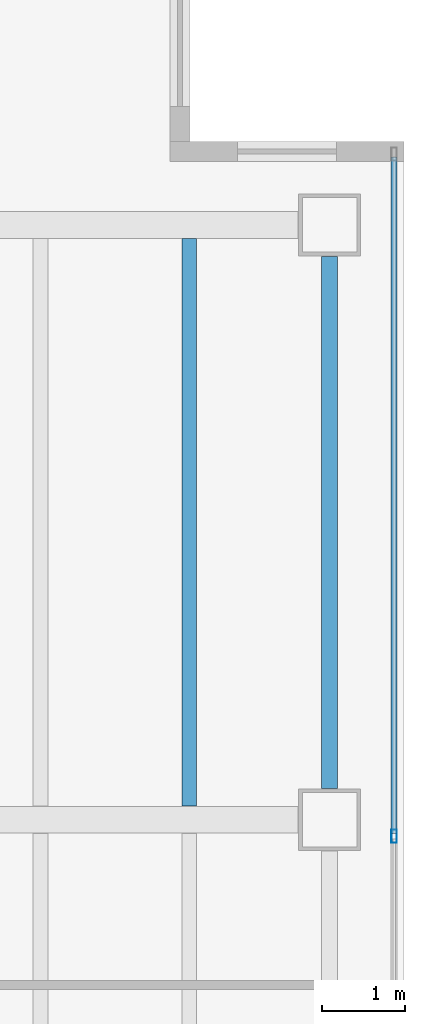
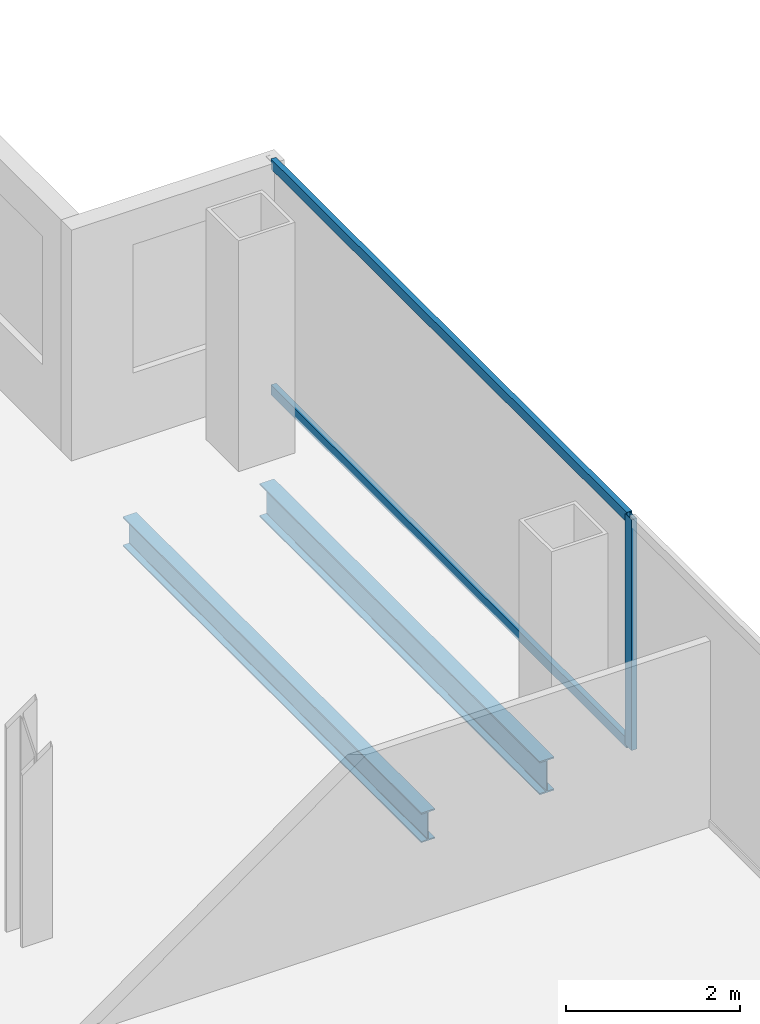
# One storey, part 14 of 23: 3 members, 2 beams, 1 element without a shape of its own.
"""IFC4 building model written with IfcOpenShell, lengths in metres."""

from ifc_helpers import new_model, si_unit, direction, frame, origin, origin_2d, place, context, subcontext, project, spatial, hollow_rectangle, i_section, extrude, material, material_profile, profile_set, type_object, element, aggregate, save


model = new_model("IFC4")

# Units and contexts
model_context = context("Model", 3, precision=1e-05, world=origin(), true_north=direction((0.0, 1.0)))
body_context = subcontext(model_context, "Body", "Model", "MODEL_VIEW")
ifc_project = project(units=[si_unit("LENGTHUNIT", "METRE"), si_unit("AREAUNIT", "SQUARE_METRE"), si_unit("VOLUMEUNIT", "CUBIC_METRE"), si_unit("PLANEANGLEUNIT", "RADIAN"), si_unit("MASSUNIT", "GRAM", prefix="KILO")], contexts=[model_context])

# Site, building, storey
site_placement = place(None, origin())
site = spatial("IfcSite", under=ifc_project, at=site_placement, CompositionType="ELEMENT")
building_placement = place(site_placement, origin())
building = spatial("IfcBuilding", under=site, at=building_placement, Name="Cobrela Telecom Tower", CompositionType="ELEMENT")
storey_placement = place(building_placement, frame((0.0, 0.0, 204.75)))
storey = spatial("IfcBuildingStorey", under=building, at=storey_placement, Name="L52", CompositionType="ELEMENT", Elevation=204.75)

# Beams
ifc_material_1 = material(Name="Steel ASTM A992 Grade 50", Category="steel")
ifc_material_profile_1 = material_profile(ifc_material_1, i_section(OverallWidth=0.179931640625, OverallDepth=0.4169921875, WebThickness=0.010986328125, FlangeThickness=0.01806640625, FilletRadius=0.011962890625, at=origin_2d()), Name="W16X57")
ifc_profile_set_1 = profile_set([ifc_material_profile_1], Name="Steel ASTM A992 Grade 50")
beam_type_1 = type_object("IfcBeamType", Name="BM-JOIST-04", PredefinedType="JOIST", material=ifc_profile_set_1)
beam_1_placement = place(storey_placement, frame((41.39990234375, 14.5673828125, -0.468505859375), z_axis=(0.0, 1.0, 0.0), x_axis=(-1.0, 0.0, 0.0)))
element("IfcBeam", 1, at=beam_1_placement, inside=storey, type_object=beam_type_1, Name="L52 Secondary Composite Floor Beam J30", PredefinedType="JOIST", context=body_context, shape_type="SweptSolid", body=[
    extrude(i_section(OverallWidth=0.179931640625, OverallDepth=0.4169921875, WebThickness=0.010986328125, FlangeThickness=0.01806640625, FilletRadius=0.011962890625, at=origin_2d()), origin(), (0.0, 0.0, 1.0), 6.865234375),
])
ifc_material_profile_2 = material_profile(ifc_material_1, i_section(OverallWidth=0.193115234375, OverallDepth=0.467041015625, WebThickness=0.011474609375, FlangeThickness=0.01904296875, FilletRadius=0.012939453125, at=origin_2d()), Name="W18X65")
ifc_profile_set_2 = profile_set([ifc_material_profile_2], Name="Steel ASTM A992 Grade 50")
beam_type_2 = type_object("IfcBeamType", Name="BM-SPAND-05", PredefinedType="SPANDREL", material=ifc_profile_set_2)
beam_2_placement = place(storey_placement, frame((43.10009765625, 14.780029296875, -0.493408203125), z_axis=(0.0, 1.0, 0.0), x_axis=(-1.0, 0.0, 0.0)))
element("IfcBeam", 2, at=beam_2_placement, inside=storey, type_object=beam_type_2, Name="L52 Perimeter Spandrel Y43", PredefinedType="SPANDREL", context=body_context, shape_type="SweptSolid", body=[
    extrude(i_section(OverallWidth=0.193115234375, OverallDepth=0.467041015625, WebThickness=0.011474609375, FlangeThickness=0.01904296875, FilletRadius=0.012939453125, at=origin_2d()), origin(), (0.0, 0.0, 1.0), 6.43994140625),
])

# Curtain wall, members
ifc_material_2 = material(Name="Anodized Bronze Aluminium 6063-T6", Category="aluminium")
curtain_wall_type = type_object("IfcCurtainWallType", Name="CW-SYS-OFF-LO", PredefinedType="USERDEFINED", material=ifc_material_2)
curtain_wall_placement = place(storey_placement, origin())
curtain_wall = element("IfcCurtainWall", 3, at=curtain_wall_placement, inside=storey, type_object=curtain_wall_type, Name="L52 Unitised Bronze Curtain Wall 14", ObjectType="UNITISED CURTAIN WALL", PredefinedType="USERDEFINED")
ifc_material_profile_3 = material_profile(ifc_material_2, hollow_rectangle(XDim=0.070068359375, YDim=0.159912109375, WallThickness=0.00390625, at=origin_2d()), Name="ALU 70x160x4")
ifc_profile_set_3 = profile_set([ifc_material_profile_3], Name="Anodized Bronze Aluminium 6063-T6")
member_type_1 = type_object("IfcMemberType", Name="CW-SYS-OFF-LO-MUL", PredefinedType="MULLION", material=ifc_profile_set_3)
member_1_placement = place(storey_placement, frame((43.8798828125, 14.199951171875, 0.0), z_axis=(0.0, 0.0, 1.0), x_axis=(1.0, 0.0, 0.0)))
member_1 = element("IfcMember", 4, at=member_1_placement, type_object=member_type_1, Name="CW-OFF-LO mullion 2", PredefinedType="MULLION", context=body_context, shape_type="SweptSolid", body=[
    extrude(hollow_rectangle(XDim=0.070068359375, YDim=0.159912109375, WallThickness=0.00390625, at=origin_2d()), origin(), (0.0, 0.0, 1.0), 3.239990234375),
])
ifc_material_profile_4 = material_profile(ifc_material_2, hollow_rectangle(XDim=0.070068359375, YDim=0.139892578125, WallThickness=0.00390625, at=origin_2d()), Name="ALU 70x140x4")
ifc_profile_set_4 = profile_set([ifc_material_profile_4], Name="Anodized Bronze Aluminium 6063-T6")
member_type_2 = type_object("IfcMemberType", Name="CW-SYS-OFF-LO-TRN", PredefinedType="USERDEFINED", material=ifc_profile_set_4)
member_2_placement = place(storey_placement, frame((43.8798828125, 22.419921875, 0.034912109375), z_axis=(0.0, -1.0, 0.0), x_axis=(1.0, 0.0, 0.0)))
member_2 = element("IfcMember", 5, at=member_2_placement, type_object=member_type_2, Name="CW-OFF-LO transom 1.1", ObjectType="TRANSOM", PredefinedType="USERDEFINED", context=body_context, shape_type="SweptSolid", body=[
    extrude(hollow_rectangle(XDim=0.070068359375, YDim=0.139892578125, WallThickness=0.00390625, at=origin_2d()), origin(), (0.0, 0.0, 1.0), 8.184814453125),
])
member_3_placement = place(storey_placement, frame((43.8798828125, 22.419921875, 3.205078125), z_axis=(0.0, -1.0, 0.0), x_axis=(1.0, 0.0, 0.0)))
member_3 = element("IfcMember", 6, at=member_3_placement, type_object=member_type_2, Name="CW-OFF-LO transom 1.2", ObjectType="TRANSOM", PredefinedType="USERDEFINED", context=body_context, shape_type="SweptSolid", body=[
    extrude(hollow_rectangle(XDim=0.070068359375, YDim=0.139892578125, WallThickness=0.00390625, at=origin_2d()), origin(), (0.0, 0.0, 1.0), 8.184814453125),
])
aggregate(curtain_wall, [member_1, member_2, member_3])

save(model, "model.ifc")
